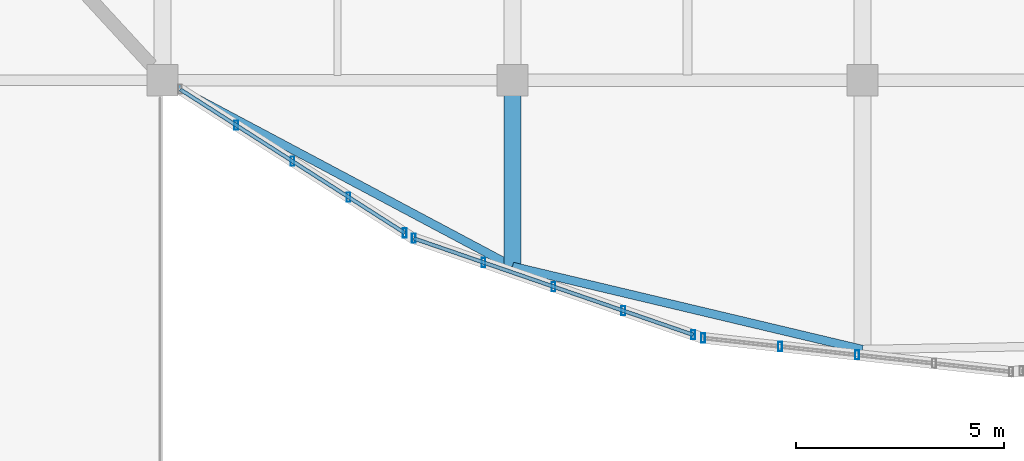
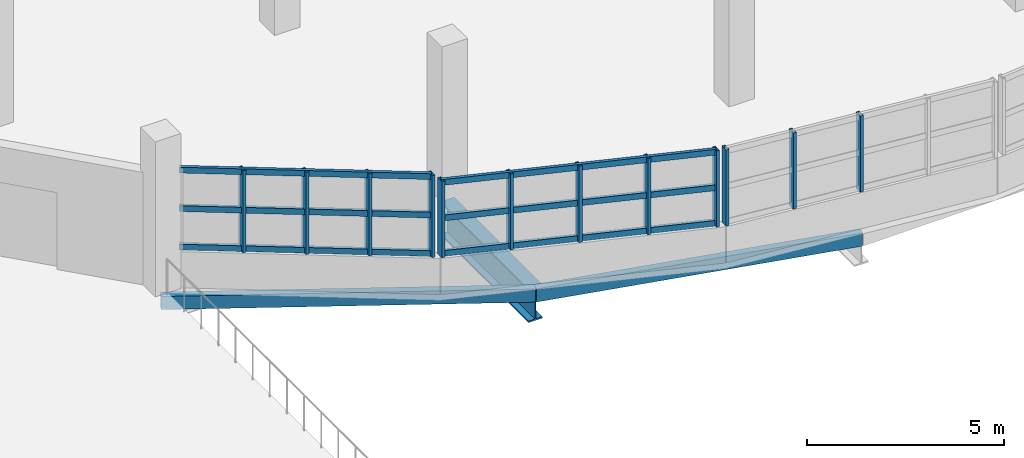
# One storey, part 6 of 77: 18 members, 3 beams, 3 elements without a shape of their own.
"""IFC4 building model written with IfcOpenShell, lengths in metres."""

from ifc_helpers import new_model, si_unit, direction, frame, origin, origin_2d, place, context, subcontext, project, spatial, hollow_rectangle, i_section, extrude, material, material_profile, profile_set, type_object, element, aggregate, save


model = new_model("IFC4")

# Units and contexts
model_context = context("Model", 3, precision=1e-05, world=origin(), true_north=direction((0.0, 1.0)))
body_context = subcontext(model_context, "Body", "Model", "MODEL_VIEW")
ifc_project = project(units=[si_unit("LENGTHUNIT", "METRE"), si_unit("AREAUNIT", "SQUARE_METRE"), si_unit("VOLUMEUNIT", "CUBIC_METRE"), si_unit("PLANEANGLEUNIT", "RADIAN"), si_unit("MASSUNIT", "GRAM", prefix="KILO")], contexts=[model_context])

# Site, building, storey
site_placement = place(None, origin())
site = spatial("IfcSite", under=ifc_project, at=site_placement, CompositionType="ELEMENT")
building_placement = place(site_placement, origin())
building = spatial("IfcBuilding", under=site, at=building_placement, Name="Solvento Point Concert Hall", CompositionType="ELEMENT")
storey_placement = place(building_placement, frame((0.0, 0.0, 10.199951171875)))
storey = spatial("IfcBuildingStorey", under=building, at=storey_placement, Name="L02", CompositionType="ELEMENT", Elevation=10.199951171875)

# Beam
ifc_material_1 = material(Name="Structural Steel ASTM A992 Grade 50", Category="steel")
ifc_material_profile_1 = material_profile(ifc_material_1, i_section(OverallWidth=0.408935546875, OverallDepth=1.041015625, WebThickness=0.031005859375, FlangeThickness=0.04443359375, at=origin_2d()), Name="W40X397")
ifc_profile_set_1 = profile_set([ifc_material_profile_1], Name="Structural Steel ASTM A992 Grade 50")
beam_type_1 = type_object("IfcBeamType", Name="CantileverGirder_W40X397", PredefinedType="USERDEFINED", material=ifc_profile_set_1)
beam_1_placement = place(storey_placement, frame((49.199951171875, 17.0, -0.79541015625), z_axis=(0.0, -1.0, 0.0), x_axis=(1.0, 0.0, 0.0)))
element("IfcBeam", 1, at=beam_1_placement, inside=storey, type_object=beam_type_1, Name="Radial cantilever girder CG-01 L02", ObjectType="GIRDER", PredefinedType="USERDEFINED", context=body_context, shape_type="SweptSolid", body=[
    extrude(i_section(OverallWidth=0.408935546875, OverallDepth=1.041015625, WebThickness=0.031005859375, FlangeThickness=0.04443359375, at=origin_2d()), origin(), (0.0, 0.0, 1.0), 4.46728515625),
])

# Curtain wall, members
ifc_material_2 = material(Name="Anodized Bronze Aluminium", Category="aluminium")
curtain_wall_type = type_object("IfcCurtainWallType", Name="CurtainWall_RingRibbon_L01_02", PredefinedType="USERDEFINED", material=ifc_material_2)
curtain_wall_1_placement = place(storey_placement, origin())
curtain_wall_1 = element("IfcCurtainWall", 2, at=curtain_wall_1_placement, inside=storey, type_object=curtain_wall_type, Name="Unitised curtain wall CW-59 UCW-L02-165", ObjectType="UNITISED CURTAIN WALL", PredefinedType="USERDEFINED")
ifc_material_3 = material(Name="Anodized Bronze Aluminium", Category="aluminium")
ifc_material_profile_2 = material_profile(ifc_material_3, hollow_rectangle(XDim=0.090087890625, YDim=0.219970703125, WallThickness=0.00439453125, at=origin_2d()), Name="CW-MUL-90X220")
ifc_profile_set_2 = profile_set([ifc_material_profile_2], Name="Anodized Bronze Aluminium")
member_type_1 = type_object("IfcMemberType", Name="Mullion_90x220", PredefinedType="MULLION", material=ifc_profile_set_2)
member_1_placement = place(storey_placement, frame((57.472900390625, 10.408935546875, 1.1201171875), z_axis=(0.0, 0.0, 1.0), x_axis=(1.0, 0.0, 0.0)))
member_1 = element("IfcMember", 3, at=member_1_placement, type_object=member_type_1, Name="Curtain wall mullion ML-02", PredefinedType="MULLION", context=body_context, shape_type="SweptSolid", body=[
    extrude(hollow_rectangle(XDim=0.090087890625, YDim=0.219970703125, WallThickness=0.00439453125, at=origin_2d()), origin(), (0.0, 0.0, 1.0), 2.36181640625),
])
member_2_placement = place(storey_placement, frame((55.62451171875, 10.61181640625, 1.1201171875), z_axis=(0.0, 0.0, 1.0), x_axis=(1.0, 0.0, 0.0)))
member_2 = element("IfcMember", 4, at=member_2_placement, type_object=member_type_1, Name="Curtain wall mullion ML-02", PredefinedType="MULLION", context=body_context, shape_type="SweptSolid", body=[
    extrude(hollow_rectangle(XDim=0.090087890625, YDim=0.219970703125, WallThickness=0.00439453125, at=origin_2d()), origin(), (0.0, 0.0, 1.0), 2.36181640625),
])
member_3_placement = place(storey_placement, frame((53.77587890625, 10.814453125, 1.1201171875), z_axis=(0.0, 0.0, 1.0), x_axis=(1.0, 0.0, 0.0)))
member_3 = element("IfcMember", 5, at=member_3_placement, type_object=member_type_1, Name="Curtain wall mullion ML-02", PredefinedType="MULLION", context=body_context, shape_type="SweptSolid", body=[
    extrude(hollow_rectangle(XDim=0.090087890625, YDim=0.219970703125, WallThickness=0.00439453125, at=origin_2d()), origin(), (0.0, 0.0, 1.0), 2.36181640625),
])
aggregate(curtain_wall_1, [member_1, member_2, member_3])

curtain_wall_2_placement = place(storey_placement, origin())
curtain_wall_2 = element("IfcCurtainWall", 6, at=curtain_wall_2_placement, inside=storey, type_object=curtain_wall_type, Name="Unitised curtain wall CW-59 UCW-L02-166", ObjectType="UNITISED CURTAIN WALL", PredefinedType="USERDEFINED")
member_4_placement = place(storey_placement, frame((53.5380859375, 10.8896484375, 1.1201171875), z_axis=(0.0, 0.0, 1.0), x_axis=(1.0, 0.0, 0.0)))
member_4 = element("IfcMember", 7, at=member_4_placement, type_object=member_type_1, Name="Curtain wall mullion ML-02", PredefinedType="MULLION", context=body_context, shape_type="SweptSolid", body=[
    extrude(hollow_rectangle(XDim=0.090087890625, YDim=0.219970703125, WallThickness=0.00439453125, at=origin_2d()), origin(), (0.0, 0.0, 1.0), 2.36181640625),
])
member_5_placement = place(storey_placement, frame((51.860595703125, 11.468505859375, 1.1201171875), z_axis=(0.0, 0.0, 1.0), x_axis=(1.0, 0.0, 0.0)))
member_5 = element("IfcMember", 8, at=member_5_placement, type_object=member_type_1, Name="Curtain wall mullion ML-02", PredefinedType="MULLION", context=body_context, shape_type="SweptSolid", body=[
    extrude(hollow_rectangle(XDim=0.090087890625, YDim=0.219970703125, WallThickness=0.00439453125, at=origin_2d()), origin(), (0.0, 0.0, 1.0), 2.36181640625),
])
member_6_placement = place(storey_placement, frame((50.18310546875, 12.047607421875, 1.1201171875), z_axis=(0.0, 0.0, 1.0), x_axis=(1.0, 0.0, 0.0)))
member_6 = element("IfcMember", 9, at=member_6_placement, type_object=member_type_1, Name="Curtain wall mullion ML-02", PredefinedType="MULLION", context=body_context, shape_type="SweptSolid", body=[
    extrude(hollow_rectangle(XDim=0.090087890625, YDim=0.219970703125, WallThickness=0.00439453125, at=origin_2d()), origin(), (0.0, 0.0, 1.0), 2.36181640625),
])
member_7_placement = place(storey_placement, frame((48.505859375, 12.626708984375, 1.1201171875), z_axis=(0.0, 0.0, 1.0), x_axis=(1.0, 0.0, 0.0)))
member_7 = element("IfcMember", 10, at=member_7_placement, type_object=member_type_1, Name="Curtain wall mullion ML-02", PredefinedType="MULLION", context=body_context, shape_type="SweptSolid", body=[
    extrude(hollow_rectangle(XDim=0.090087890625, YDim=0.219970703125, WallThickness=0.00439453125, at=origin_2d()), origin(), (0.0, 0.0, 1.0), 2.36181640625),
])
member_8_placement = place(storey_placement, frame((46.828369140625, 13.20556640625, 1.1201171875), z_axis=(0.0, 0.0, 1.0), x_axis=(1.0, 0.0, 0.0)))
member_8 = element("IfcMember", 11, at=member_8_placement, type_object=member_type_1, Name="Curtain wall mullion ML-02", PredefinedType="MULLION", context=body_context, shape_type="SweptSolid", body=[
    extrude(hollow_rectangle(XDim=0.090087890625, YDim=0.219970703125, WallThickness=0.00439453125, at=origin_2d()), origin(), (0.0, 0.0, 1.0), 2.36181640625),
])

curtain_wall_3_placement = place(storey_placement, origin())
curtain_wall_3 = element("IfcCurtainWall", 12, at=curtain_wall_3_placement, inside=storey, type_object=curtain_wall_type, Name="Unitised curtain wall CW-59 UCW-L02-167", ObjectType="UNITISED CURTAIN WALL", PredefinedType="USERDEFINED")
member_9_placement = place(storey_placement, frame((46.61474609375, 13.333984375, 1.1201171875), z_axis=(0.0, 0.0, 1.0), x_axis=(1.0, 0.0, 0.0)))
member_9 = element("IfcMember", 13, at=member_9_placement, type_object=member_type_1, Name="Curtain wall mullion ML-02", PredefinedType="MULLION", context=body_context, shape_type="SweptSolid", body=[
    extrude(hollow_rectangle(XDim=0.090087890625, YDim=0.219970703125, WallThickness=0.00439453125, at=origin_2d()), origin(), (0.0, 0.0, 1.0), 2.544921875),
])
member_10_placement = place(storey_placement, frame((45.26611328125, 14.1962890625, 1.1201171875), z_axis=(0.0, 0.0, 1.0), x_axis=(1.0, 0.0, 0.0)))
member_10 = element("IfcMember", 14, at=member_10_placement, type_object=member_type_1, Name="Curtain wall mullion ML-02", PredefinedType="MULLION", context=body_context, shape_type="SweptSolid", body=[
    extrude(hollow_rectangle(XDim=0.090087890625, YDim=0.219970703125, WallThickness=0.00439453125, at=origin_2d()), origin(), (0.0, 0.0, 1.0), 2.544921875),
])
member_11_placement = place(storey_placement, frame((43.91748046875, 15.05859375, 1.1201171875), z_axis=(0.0, 0.0, 1.0), x_axis=(1.0, 0.0, 0.0)))
member_11 = element("IfcMember", 15, at=member_11_placement, type_object=member_type_1, Name="Curtain wall mullion ML-02", PredefinedType="MULLION", context=body_context, shape_type="SweptSolid", body=[
    extrude(hollow_rectangle(XDim=0.090087890625, YDim=0.219970703125, WallThickness=0.00439453125, at=origin_2d()), origin(), (0.0, 0.0, 1.0), 2.544921875),
])
member_12_placement = place(storey_placement, frame((42.56884765625, 15.9208984375, 1.1201171875), z_axis=(0.0, 0.0, 1.0), x_axis=(1.0, 0.0, 0.0)))
member_12 = element("IfcMember", 16, at=member_12_placement, type_object=member_type_1, Name="Curtain wall mullion ML-02", PredefinedType="MULLION", context=body_context, shape_type="SweptSolid", body=[
    extrude(hollow_rectangle(XDim=0.090087890625, YDim=0.219970703125, WallThickness=0.00439453125, at=origin_2d()), origin(), (0.0, 0.0, 1.0), 2.544921875),
])

# Beams
ifc_material_4 = material(Name="Structural Steel ASTM A500 Grade C", Category="steel")
ifc_material_profile_3 = material_profile(ifc_material_4, hollow_rectangle(XDim=0.203125, YDim=0.406494140625, WallThickness=0.01171875, at=origin_2d()), Name="HSS16X8X1/2")
ifc_profile_set_3 = profile_set([ifc_material_profile_3], Name="Structural Steel ASTM A500 Grade C")
beam_type_2 = type_object("IfcBeamType", Name="RingBeam_HSS16X8", PredefinedType="SPANDREL", material=ifc_profile_set_3)
beam_2_placement = place(storey_placement, frame((40.800048828125, 17.0, -0.47705078125), z_axis=(0.882904984433, -0.469551688809, 0.0), x_axis=(0.469551688809, 0.882904984433, 0.0)))
element("IfcBeam", 17, at=beam_2_placement, inside=storey, type_object=beam_type_2, Name="Elliptical perimeter ring beam RB-01 L02", PredefinedType="SPANDREL", context=body_context, shape_type="SweptSolid", body=[
    extrude(hollow_rectangle(XDim=0.203125, YDim=0.406494140625, WallThickness=0.01171875, at=origin_2d()), origin(), (0.0, 0.0, 1.0), 9.513916015625),
])
beam_3_placement = place(storey_placement, frame((49.199951171875, 12.53271484375, -0.47705078125), z_axis=(0.972947118771, -0.231027929211, 0.0), x_axis=(0.231027929211, 0.972947118771, 0.0)))
element("IfcBeam", 18, at=beam_3_placement, inside=storey, type_object=beam_type_2, Name="Elliptical perimeter ring beam RB-01 L02", PredefinedType="SPANDREL", context=body_context, shape_type="SweptSolid", body=[
    extrude(hollow_rectangle(XDim=0.203125, YDim=0.406494140625, WallThickness=0.01171875, at=origin_2d()), origin(), (0.0, 0.0, 1.0), 8.6337890625),
])

# Member
ifc_material_5 = material(Name="Anodized Bronze Aluminium", Category="aluminium")
ifc_material_profile_4 = material_profile(ifc_material_5, hollow_rectangle(XDim=0.090087890625, YDim=0.179931640625, WallThickness=0.00439453125, at=origin_2d()), Name="CW-TRN-90X180")
ifc_profile_set_4 = profile_set([ifc_material_profile_4], Name="Anodized Bronze Aluminium")
member_type_2 = type_object("IfcMemberType", Name="Transom_90x180", PredefinedType="USERDEFINED", material=ifc_profile_set_4)
member_13_placement = place(storey_placement, frame((53.5380859375, 10.8896484375, 1.199951171875), z_axis=(-0.945276444278, 0.326270507238, 0.0), x_axis=(-0.326270507238, -0.945276444278, 0.0)))
member_13 = element("IfcMember", 19, at=member_13_placement, type_object=member_type_2, Name="Curtain wall transom TR-02", ObjectType="TRANSOM", PredefinedType="USERDEFINED", context=body_context, shape_type="SweptSolid", body=[
    extrude(hollow_rectangle(XDim=0.090087890625, YDim=0.179931640625, WallThickness=0.00439453125, at=origin_2d()), origin(), (0.0, 0.0, 1.0), 7.09814453125),
])

member_14_placement = place(storey_placement, frame((53.5380859375, 10.8896484375, 2.301025390625), z_axis=(-0.945276444278, 0.326270507238, 0.0), x_axis=(-0.326270507238, -0.945276444278, 0.0)))
member_14 = element("IfcMember", 20, at=member_14_placement, type_object=member_type_2, Name="Curtain wall transom TR-02", ObjectType="TRANSOM", PredefinedType="USERDEFINED", context=body_context, shape_type="SweptSolid", body=[
    extrude(hollow_rectangle(XDim=0.090087890625, YDim=0.179931640625, WallThickness=0.00439453125, at=origin_2d()), origin(), (0.0, 0.0, 1.0), 7.09814453125),
])

member_15_placement = place(storey_placement, frame((53.5380859375, 10.8896484375, 3.402099609375), z_axis=(-0.945276444278, 0.326270507238, 0.0), x_axis=(-0.326270507238, -0.945276444278, 0.0)))
member_15 = element("IfcMember", 21, at=member_15_placement, type_object=member_type_2, Name="Curtain wall transom TR-02", ObjectType="TRANSOM", PredefinedType="USERDEFINED", context=body_context, shape_type="SweptSolid", body=[
    extrude(hollow_rectangle(XDim=0.090087890625, YDim=0.179931640625, WallThickness=0.00439453125, at=origin_2d()), origin(), (0.0, 0.0, 1.0), 7.09814453125),
])

aggregate(curtain_wall_2, [member_4, member_5, member_6, member_7, member_8, member_13, member_14, member_15])

member_16_placement = place(storey_placement, frame((46.61474609375, 13.333984375, 1.199951171875), z_axis=(-0.842503992882, 0.538690098273, 0.0), x_axis=(-0.538690098273, -0.842503992882, 0.0)))
member_16 = element("IfcMember", 22, at=member_16_placement, type_object=member_type_2, Name="Curtain wall transom TR-02", ObjectType="TRANSOM", PredefinedType="USERDEFINED", context=body_context, shape_type="SweptSolid", body=[
    extrude(hollow_rectangle(XDim=0.090087890625, YDim=0.179931640625, WallThickness=0.00439453125, at=origin_2d()), origin(), (0.0, 0.0, 1.0), 6.403076171875),
])

member_17_placement = place(storey_placement, frame((46.61474609375, 13.333984375, 2.392578125), z_axis=(-0.842503992882, 0.538690098273, 0.0), x_axis=(-0.538690098273, -0.842503992882, 0.0)))
member_17 = element("IfcMember", 23, at=member_17_placement, type_object=member_type_2, Name="Curtain wall transom TR-02", ObjectType="TRANSOM", PredefinedType="USERDEFINED", context=body_context, shape_type="SweptSolid", body=[
    extrude(hollow_rectangle(XDim=0.090087890625, YDim=0.179931640625, WallThickness=0.00439453125, at=origin_2d()), origin(), (0.0, 0.0, 1.0), 6.403076171875),
])

member_18_placement = place(storey_placement, frame((46.61474609375, 13.333984375, 3.5849609375), z_axis=(-0.842503992882, 0.538690098273, 0.0), x_axis=(-0.538690098273, -0.842503992882, 0.0)))
member_18 = element("IfcMember", 24, at=member_18_placement, type_object=member_type_2, Name="Curtain wall transom TR-02", ObjectType="TRANSOM", PredefinedType="USERDEFINED", context=body_context, shape_type="SweptSolid", body=[
    extrude(hollow_rectangle(XDim=0.090087890625, YDim=0.179931640625, WallThickness=0.00439453125, at=origin_2d()), origin(), (0.0, 0.0, 1.0), 6.403076171875),
])

aggregate(curtain_wall_3, [member_9, member_10, member_11, member_12, member_16, member_17, member_18])

save(model, "model.ifc")
